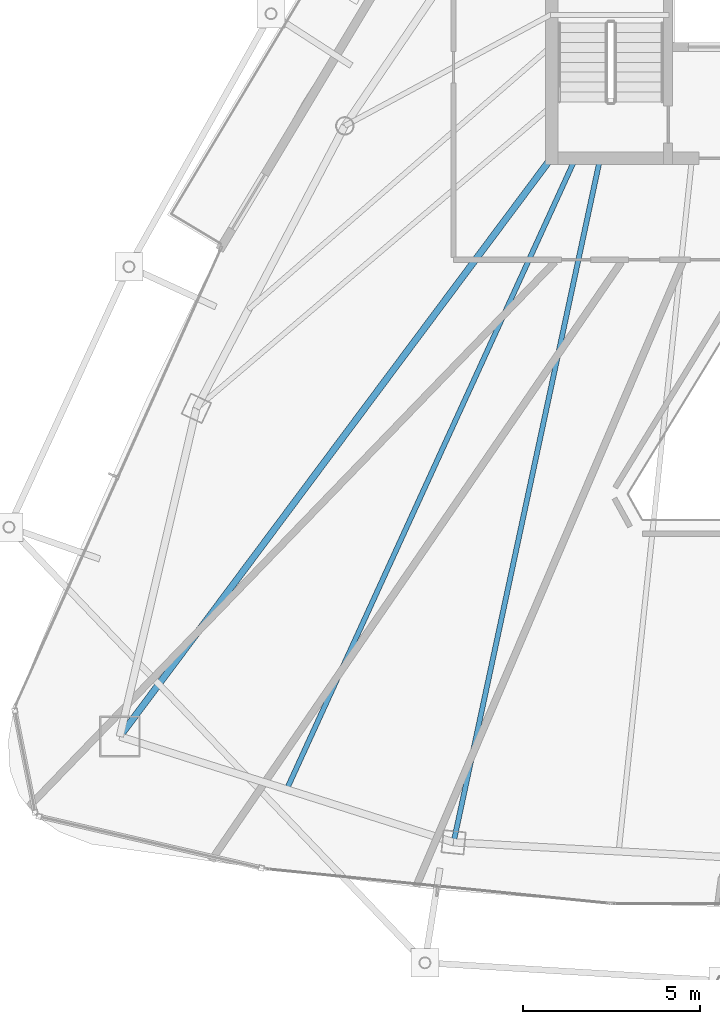
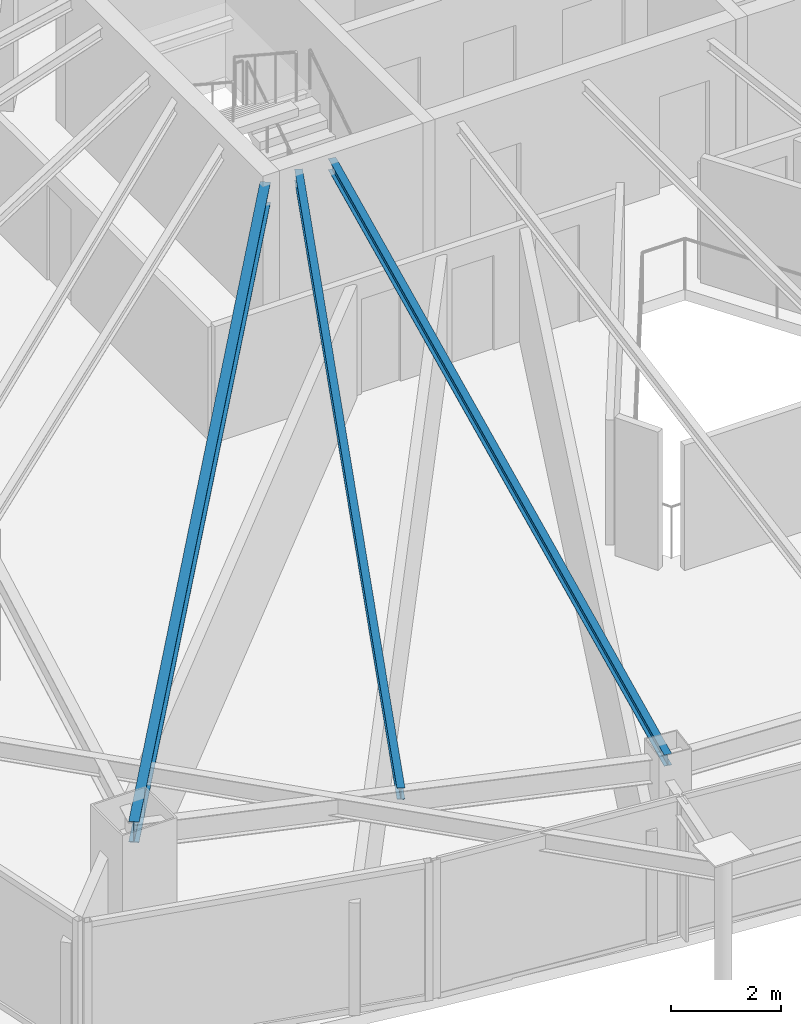
# One storey, part 6 of 28: 3 beams.
"""IFC4 building model written with IfcOpenShell, lengths in metres."""

from ifc_helpers import new_model, si_unit, direction, frame, origin, origin_2d, place, context, subcontext, project, spatial, i_section, extrude, material, material_profile, profile_set, type_object, element, save


model = new_model("IFC4")

# Units and contexts
model_context = context("Model", 3, precision=1e-05, world=origin(), true_north=direction((0.0, 1.0)))
body_context = subcontext(model_context, "Body", "Model", "MODEL_VIEW")
ifc_project = project(units=[si_unit("LENGTHUNIT", "METRE"), si_unit("AREAUNIT", "SQUARE_METRE"), si_unit("VOLUMEUNIT", "CUBIC_METRE"), si_unit("PLANEANGLEUNIT", "RADIAN"), si_unit("MASSUNIT", "GRAM", prefix="KILO")], contexts=[model_context])

# Site, building, storey
site_placement = place(None, origin())
site = spatial("IfcSite", under=ifc_project, at=site_placement, CompositionType="ELEMENT")
building_placement = place(site_placement, origin())
building = spatial("IfcBuilding", under=site, at=building_placement, Name="Orvanel Arch Residences", CompositionType="ELEMENT")
storey_placement = place(building_placement, frame((0.0, 0.0, 266.75)))
storey = spatial("IfcBuildingStorey", under=building, at=storey_placement, Name="L76", CompositionType="ELEMENT", Elevation=266.75)

# Beams
ifc_material = material(Name="Structural steel AS/NZS 3679.1 Grade 300 (300 MPa)", Category="steel")
ifc_material_profile_1 = material_profile(ifc_material, i_section(OverallWidth=0.19091796875, OverallDepth=0.4599609375, WebThickness=0.010009765625, FlangeThickness=0.01611328125, at=origin_2d()), Name="460UB82.1")
ifc_profile_set_1 = profile_set([ifc_material_profile_1], Name="Structural steel AS/NZS 3679.1 Grade 300 (300 MPa)")
beam_type_1 = type_object("IfcBeamType", Name="BG-460UB", PredefinedType="BEAM", material=ifc_profile_set_1)
beam_1_placement = place(storey_placement, frame((26.375, 26.675048828125, 2.830078125), z_axis=(-0.597893733742, -0.801575375839, 0.0), x_axis=(0.801575375839, -0.597893733742, 0.0)))
element("IfcBeam", 1, at=beam_1_placement, inside=storey, type_object=beam_type_1, Name="L76 South-West Radial Girder", PredefinedType="BEAM", context=body_context, shape_type="SweptSolid", body=[
    extrude(i_section(OverallWidth=0.19091796875, OverallDepth=0.4599609375, WebThickness=0.010009765625, FlangeThickness=0.01611328125, at=origin_2d()), origin(), (0.0, 0.0, 1.0), 20.36474609375),
])
ifc_material_profile_2 = material_profile(ifc_material, i_section(OverallWidth=0.14599609375, OverallDepth=0.251953125, WebThickness=0.006103515625, FlangeThickness=0.008544921875, at=origin_2d()), Name="250UB31.4")
ifc_profile_set_2 = profile_set([ifc_material_profile_2], Name="Structural steel AS/NZS 3679.1 Grade 300 (300 MPa)")
beam_type_2 = type_object("IfcBeamType", Name="BJ-250UB", PredefinedType="JOIST", material=ifc_profile_set_2)
beam_2_placement = place(storey_placement, frame((27.800048828125, 26.72509765625, 2.93408203125), z_axis=(-0.209547604985, -0.977798446125, 0.0), x_axis=(0.977798446125, -0.209547604985, 0.0)))
element("IfcBeam", 2, at=beam_2_placement, inside=storey, type_object=beam_type_2, Name="L76 SW Wing Floor Joist", PredefinedType="JOIST", context=body_context, shape_type="SweptSolid", body=[
    extrude(i_section(OverallWidth=0.14599609375, OverallDepth=0.251953125, WebThickness=0.006103515625, FlangeThickness=0.008544921875, at=origin_2d()), origin(), (0.0, 0.0, 1.0), 19.809814453125),
])
beam_3_placement = place(storey_placement, frame((27.10009765625, 26.72509765625, 2.93408203125), z_axis=(-0.416009574066, -0.909360233508, 0.0), x_axis=(0.909360233508, -0.416009574066, 0.0)))
element("IfcBeam", 3, at=beam_3_placement, inside=storey, type_object=beam_type_2, Name="L76 JADD1 Wing Floor Joist", PredefinedType="JOIST", context=body_context, shape_type="SweptSolid", body=[
    extrude(i_section(OverallWidth=0.14599609375, OverallDepth=0.251953125, WebThickness=0.006103515625, FlangeThickness=0.008544921875, at=origin_2d()), origin(), (0.0, 0.0, 1.0), 19.653564453125),
])

save(model, "model.ifc")
